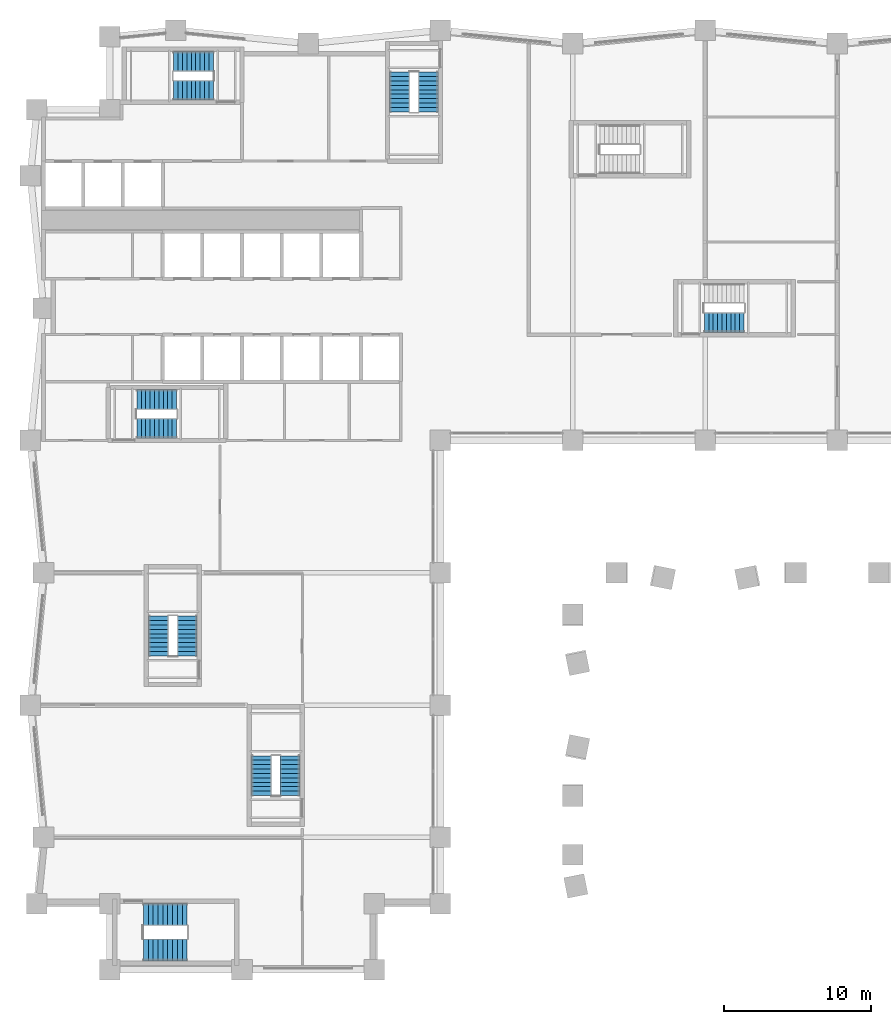
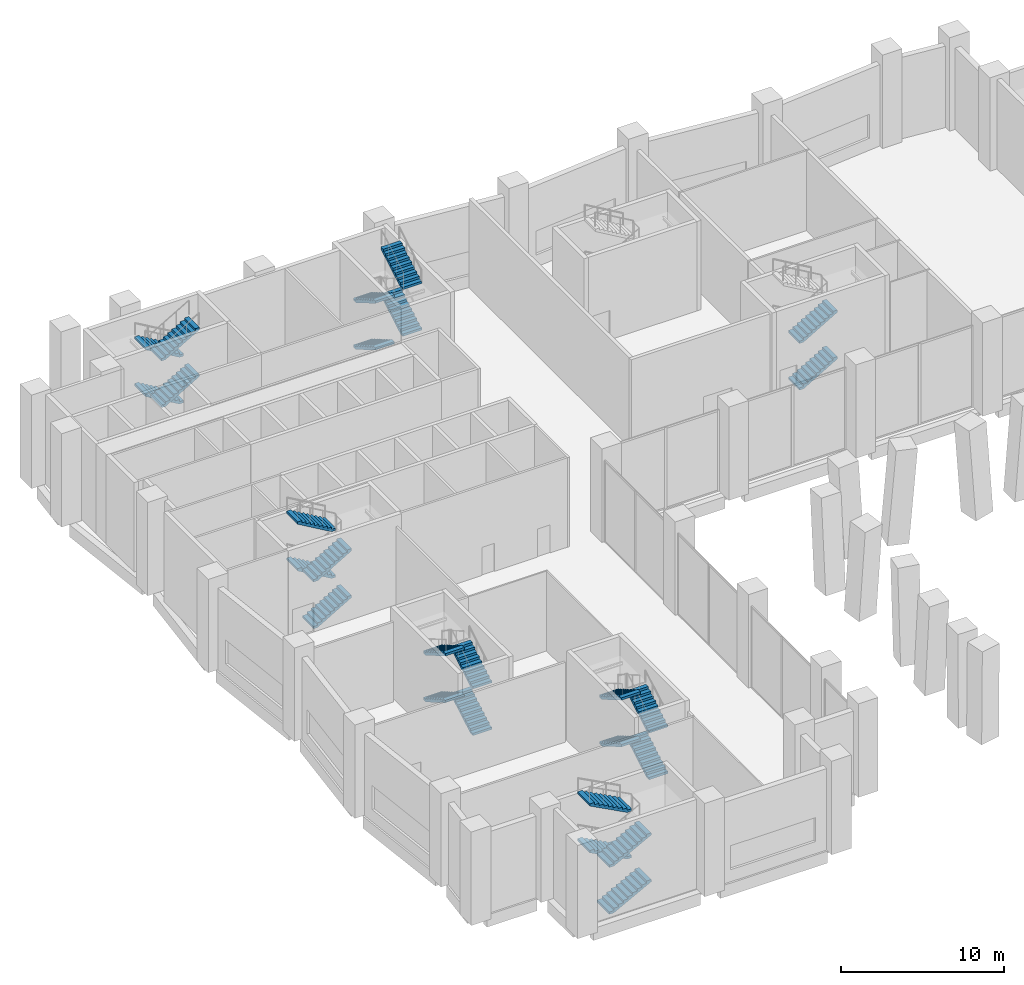
# One storey, part 14 of 18: 26 stair flights, 7 elements without a shape of their own.
"""IFC4 building model written with IfcOpenShell, lengths in metres."""

from ifc_helpers import new_model, si_unit, direction, frame, origin, place, context, subcontext, project, spatial, polyline, outline, extrude, material, type_object, element, aggregate, save


model = new_model("IFC4")

# Units and contexts
model_context = context("Model", 3, precision=1e-05, world=origin(), true_north=direction((0.0, 1.0)))
body_context = subcontext(model_context, "Body", "Model", "MODEL_VIEW")
ifc_project = project(units=[si_unit("LENGTHUNIT", "METRE"), si_unit("AREAUNIT", "SQUARE_METRE"), si_unit("VOLUMEUNIT", "CUBIC_METRE"), si_unit("PLANEANGLEUNIT", "RADIAN"), si_unit("MASSUNIT", "GRAM", prefix="KILO")], contexts=[model_context])

# Site, building, storey
site_placement = place(None, origin())
site = spatial("IfcSite", under=ifc_project, at=site_placement, CompositionType="ELEMENT")
building_placement = place(site_placement, origin())
building = spatial("IfcBuilding", under=site, at=building_placement, Name="Brondeck Convention Tower", CompositionType="ELEMENT")
storey_placement = place(building_placement, frame((0.0, 0.0, 7.5)))
storey = spatial("IfcBuildingStorey", under=building, at=storey_placement, Name="L01", CompositionType="ELEMENT", Elevation=7.5)

# Stair, stair flights
ifc_material = material(Name="Precast concrete C50/60", Category="concrete")
stair_type_1 = type_object("IfcStairType", Name="Core stair 40 risers 175.00 mm riser 300 mm going 1350 wide", PredefinedType="HALF_TURN_STAIR", material=ifc_material)
stair_1_placement = place(storey_placement, origin())
stair_1 = element("IfcStair", 1, at=stair_1_placement, inside=storey, type_object=stair_type_1, Name="ST-1 L01 stair", PredefinedType="HALF_TURN_STAIR")
stair_flight_type_1 = type_object("IfcStairFlightType", Name="Core stair flight 40 risers 175.00 mm riser 300 mm going 1350 wide", PredefinedType="STRAIGHT", material=ifc_material)
stair_flight_1_placement = place(storey_placement, frame((6.35009765625, 36.824951171875, 0.0), z_axis=(0.0, 0.0, 1.0), x_axis=(1.0, 0.0, 0.0)))
stair_flight_1 = element("IfcStairFlight", 2, at=stair_flight_1_placement, type_object=stair_flight_type_1, Name="ST-1 flight 1", NumberOfRisers=10, NumberOfTreads=9, PredefinedType="STRAIGHT", RiserHeight=0.175, TreadLength=0.3, context=body_context, shape_type="SweptSolid", body=[
    extrude(outline(polyline([(0.0, 0.0), (0.0, 0.175048828125), (0.300048828125, 0.175048828125), (0.300048828125, 0.35009765625), (0.60009765625, 0.35009765625), (0.60009765625, 0.52490234375), (0.89990234375, 0.52490234375), (0.89990234375, 0.699951171875), (1.199951171875, 0.699951171875), (1.199951171875, 0.875), (1.5, 0.875), (1.5, 1.050048828125), (1.800048828125, 1.050048828125), (1.800048828125, 1.22509765625), (2.10009765625, 1.22509765625), (2.10009765625, 1.39990234375), (2.39990234375, 1.39990234375), (2.39990234375, 1.574951171875), (2.699951171875, 1.574951171875), (2.699951171875, 1.75), (2.699951171875, 1.4013671875), (0.297607421875, 0.0), (0.0, 0.0)])), frame((0.0, 0.675048828125, 0.0), z_axis=(0.0, -1.0, 0.0), x_axis=(1.0, 0.0, 0.0)), (0.0, 0.0, 1.0), 1.35009765625),
])
stair_flight_2_placement = place(storey_placement, frame((9.050048828125, 38.77490234375, 1.75), z_axis=(0.0, 0.0, 1.0), x_axis=(-1.0, 0.0, 0.0)))
stair_flight_2 = element("IfcStairFlight", 3, at=stair_flight_2_placement, type_object=stair_flight_type_1, Name="ST-1 flight 2", NumberOfRisers=10, NumberOfTreads=9, PredefinedType="STRAIGHT", RiserHeight=0.175, TreadLength=0.3, context=body_context, shape_type="SweptSolid", body=[
    extrude(outline(polyline([(0.0, 0.0), (0.0, 0.175048828125), (0.300048828125, 0.175048828125), (0.300048828125, 0.35009765625), (0.60009765625, 0.35009765625), (0.60009765625, 0.52490234375), (0.89990234375, 0.52490234375), (0.89990234375, 0.699951171875), (1.199951171875, 0.699951171875), (1.199951171875, 0.875), (1.5, 0.875), (1.5, 1.050048828125), (1.800048828125, 1.050048828125), (1.800048828125, 1.22509765625), (2.10009765625, 1.22509765625), (2.10009765625, 1.39990234375), (2.39990234375, 1.39990234375), (2.39990234375, 1.574951171875), (2.699951171875, 1.574951171875), (2.699951171875, 1.75), (2.699951171875, 1.4013671875), (0.297607421875, 0.0), (0.0, 0.0)])), frame((0.0, 0.675048828125, 0.0), z_axis=(0.0, -1.0, 0.0), x_axis=(1.0, 0.0, 0.0)), (0.0, 0.0, 1.0), 1.35009765625),
])
stair_flight_3_placement = place(storey_placement, frame((6.35009765625, 36.824951171875, 3.5), z_axis=(0.0, 0.0, 1.0), x_axis=(1.0, 0.0, 0.0)))
stair_flight_3 = element("IfcStairFlight", 4, at=stair_flight_3_placement, type_object=stair_flight_type_1, Name="ST-1 flight 3", NumberOfRisers=10, NumberOfTreads=9, PredefinedType="STRAIGHT", RiserHeight=0.175, TreadLength=0.3, context=body_context, shape_type="SweptSolid", body=[
    extrude(outline(polyline([(0.0, 0.0), (0.0, 0.175048828125), (0.300048828125, 0.175048828125), (0.300048828125, 0.35009765625), (0.60009765625, 0.35009765625), (0.60009765625, 0.52490234375), (0.89990234375, 0.52490234375), (0.89990234375, 0.699951171875), (1.199951171875, 0.699951171875), (1.199951171875, 0.875), (1.5, 0.875), (1.5, 1.050048828125), (1.800048828125, 1.050048828125), (1.800048828125, 1.22509765625), (2.10009765625, 1.22509765625), (2.10009765625, 1.39990234375), (2.39990234375, 1.39990234375), (2.39990234375, 1.574951171875), (2.699951171875, 1.574951171875), (2.699951171875, 1.75), (2.699951171875, 1.4013671875), (0.297607421875, 0.0), (0.0, 0.0)])), frame((0.0, 0.675048828125, 0.0), z_axis=(0.0, -1.0, 0.0), x_axis=(1.0, 0.0, 0.0)), (0.0, 0.0, 1.0), 1.35009765625),
])
stair_flight_4_placement = place(storey_placement, frame((9.050048828125, 38.77490234375, 5.25), z_axis=(0.0, 0.0, 1.0), x_axis=(-1.0, 0.0, 0.0)))
stair_flight_4 = element("IfcStairFlight", 5, at=stair_flight_4_placement, type_object=stair_flight_type_1, Name="ST-1 flight 4", NumberOfRisers=10, NumberOfTreads=9, PredefinedType="STRAIGHT", RiserHeight=0.175, TreadLength=0.3, context=body_context, shape_type="SweptSolid", body=[
    extrude(outline(polyline([(0.0, 0.0), (0.0, 0.175048828125), (0.300048828125, 0.175048828125), (0.300048828125, 0.35009765625), (0.60009765625, 0.35009765625), (0.60009765625, 0.52490234375), (0.89990234375, 0.52490234375), (0.89990234375, 0.699951171875), (1.199951171875, 0.699951171875), (1.199951171875, 0.875), (1.5, 0.875), (1.5, 1.050048828125), (1.800048828125, 1.050048828125), (1.800048828125, 1.22509765625), (2.10009765625, 1.22509765625), (2.10009765625, 1.39990234375), (2.39990234375, 1.39990234375), (2.39990234375, 1.574951171875), (2.699951171875, 1.574951171875), (2.699951171875, 1.75), (2.699951171875, 1.4013671875), (0.297607421875, 0.0), (0.0, 0.0)])), frame((0.0, 0.675048828125, 0.0), z_axis=(0.0, -1.0, 0.0), x_axis=(1.0, 0.0, 0.0)), (0.0, 0.0, 1.0), 1.35009765625),
])
aggregate(stair_1, [stair_flight_1, stair_flight_2, stair_flight_3, stair_flight_4])

stair_2_placement = place(storey_placement, origin())
stair_2 = element("IfcStair", 6, at=stair_2_placement, inside=storey, type_object=stair_type_1, Name="ST-2 L01 stair", PredefinedType="HALF_TURN_STAIR")
stair_flight_5_placement = place(storey_placement, frame((24.22509765625, 61.050048828125, 0.0), z_axis=(0.0, 0.0, 1.0), x_axis=(0.0, -1.0, 0.0)))
stair_flight_5 = element("IfcStairFlight", 7, at=stair_flight_5_placement, type_object=stair_flight_type_1, Name="ST-2 flight 1", NumberOfRisers=10, NumberOfTreads=9, PredefinedType="STRAIGHT", RiserHeight=0.175, TreadLength=0.3, context=body_context, shape_type="SweptSolid", body=[
    extrude(outline(polyline([(0.0, 0.0), (0.0, 0.175048828125), (0.300048828125, 0.175048828125), (0.300048828125, 0.35009765625), (0.60009765625, 0.35009765625), (0.60009765625, 0.52490234375), (0.89990234375, 0.52490234375), (0.89990234375, 0.699951171875), (1.199951171875, 0.699951171875), (1.199951171875, 0.875), (1.5, 0.875), (1.5, 1.050048828125), (1.800048828125, 1.050048828125), (1.800048828125, 1.22509765625), (2.10009765625, 1.22509765625), (2.10009765625, 1.39990234375), (2.39990234375, 1.39990234375), (2.39990234375, 1.574951171875), (2.699951171875, 1.574951171875), (2.699951171875, 1.75), (2.699951171875, 1.4013671875), (0.297607421875, 0.0), (0.0, 0.0)])), frame((0.0, 0.675048828125, 0.0), z_axis=(0.0, -1.0, 0.0), x_axis=(1.0, 0.0, 0.0)), (0.0, 0.0, 1.0), 1.35009765625),
])
stair_flight_6_placement = place(storey_placement, frame((26.175048828125, 58.35009765625, 1.75), z_axis=(0.0, 0.0, 1.0), x_axis=(0.0, 1.0, 0.0)))
stair_flight_6 = element("IfcStairFlight", 8, at=stair_flight_6_placement, type_object=stair_flight_type_1, Name="ST-2 flight 2", NumberOfRisers=10, NumberOfTreads=9, PredefinedType="STRAIGHT", RiserHeight=0.175, TreadLength=0.3, context=body_context, shape_type="SweptSolid", body=[
    extrude(outline(polyline([(0.0, 0.0), (0.0, 0.175048828125), (0.300048828125, 0.175048828125), (0.300048828125, 0.35009765625), (0.60009765625, 0.35009765625), (0.60009765625, 0.52490234375), (0.89990234375, 0.52490234375), (0.89990234375, 0.699951171875), (1.199951171875, 0.699951171875), (1.199951171875, 0.875), (1.5, 0.875), (1.5, 1.050048828125), (1.800048828125, 1.050048828125), (1.800048828125, 1.22509765625), (2.10009765625, 1.22509765625), (2.10009765625, 1.39990234375), (2.39990234375, 1.39990234375), (2.39990234375, 1.574951171875), (2.699951171875, 1.574951171875), (2.699951171875, 1.75), (2.699951171875, 1.4013671875), (0.297607421875, 0.0), (0.0, 0.0)])), frame((0.0, 0.675048828125, 0.0), z_axis=(0.0, -1.0, 0.0), x_axis=(1.0, 0.0, 0.0)), (0.0, 0.0, 1.0), 1.35009765625),
])
stair_flight_7_placement = place(storey_placement, frame((24.22509765625, 61.050048828125, 3.5), z_axis=(0.0, 0.0, 1.0), x_axis=(0.0, -1.0, 0.0)))
stair_flight_7 = element("IfcStairFlight", 9, at=stair_flight_7_placement, type_object=stair_flight_type_1, Name="ST-2 flight 3", NumberOfRisers=10, NumberOfTreads=9, PredefinedType="STRAIGHT", RiserHeight=0.175, TreadLength=0.3, context=body_context, shape_type="SweptSolid", body=[
    extrude(outline(polyline([(0.0, 0.0), (0.0, 0.175048828125), (0.300048828125, 0.175048828125), (0.300048828125, 0.35009765625), (0.60009765625, 0.35009765625), (0.60009765625, 0.52490234375), (0.89990234375, 0.52490234375), (0.89990234375, 0.699951171875), (1.199951171875, 0.699951171875), (1.199951171875, 0.875), (1.5, 0.875), (1.5, 1.050048828125), (1.800048828125, 1.050048828125), (1.800048828125, 1.22509765625), (2.10009765625, 1.22509765625), (2.10009765625, 1.39990234375), (2.39990234375, 1.39990234375), (2.39990234375, 1.574951171875), (2.699951171875, 1.574951171875), (2.699951171875, 1.75), (2.699951171875, 1.4013671875), (0.297607421875, 0.0), (0.0, 0.0)])), frame((0.0, 0.675048828125, 0.0), z_axis=(0.0, -1.0, 0.0), x_axis=(1.0, 0.0, 0.0)), (0.0, 0.0, 1.0), 1.35009765625),
])
stair_flight_8_placement = place(storey_placement, frame((26.175048828125, 58.35009765625, 5.25), z_axis=(0.0, 0.0, 1.0), x_axis=(0.0, 1.0, 0.0)))
stair_flight_8 = element("IfcStairFlight", 10, at=stair_flight_8_placement, type_object=stair_flight_type_1, Name="ST-2 flight 4", NumberOfRisers=10, NumberOfTreads=9, PredefinedType="STRAIGHT", RiserHeight=0.175, TreadLength=0.3, context=body_context, shape_type="SweptSolid", body=[
    extrude(outline(polyline([(0.0, 0.0), (0.0, 0.175048828125), (0.300048828125, 0.175048828125), (0.300048828125, 0.35009765625), (0.60009765625, 0.35009765625), (0.60009765625, 0.52490234375), (0.89990234375, 0.52490234375), (0.89990234375, 0.699951171875), (1.199951171875, 0.699951171875), (1.199951171875, 0.875), (1.5, 0.875), (1.5, 1.050048828125), (1.800048828125, 1.050048828125), (1.800048828125, 1.22509765625), (2.10009765625, 1.22509765625), (2.10009765625, 1.39990234375), (2.39990234375, 1.39990234375), (2.39990234375, 1.574951171875), (2.699951171875, 1.574951171875), (2.699951171875, 1.75), (2.699951171875, 1.4013671875), (0.297607421875, 0.0), (0.0, 0.0)])), frame((0.0, 0.675048828125, 0.0), z_axis=(0.0, -1.0, 0.0), x_axis=(1.0, 0.0, 0.0)), (0.0, 0.0, 1.0), 1.35009765625),
])
aggregate(stair_2, [stair_flight_5, stair_flight_6, stair_flight_7, stair_flight_8])

stair_3_placement = place(storey_placement, origin())
stair_3 = element("IfcStair", 11, at=stair_3_placement, inside=storey, type_object=stair_type_1, Name="ST-3 L01 stair", PredefinedType="HALF_TURN_STAIR")
stair_flight_9_placement = place(storey_placement, frame((11.550048828125, 61.77490234375, 0.0), z_axis=(0.0, 0.0, 1.0), x_axis=(-1.0, 0.0, 0.0)))
stair_flight_9 = element("IfcStairFlight", 12, at=stair_flight_9_placement, type_object=stair_flight_type_1, Name="ST-3 flight 1", NumberOfRisers=10, NumberOfTreads=9, PredefinedType="STRAIGHT", RiserHeight=0.175, TreadLength=0.3, context=body_context, shape_type="SweptSolid", body=[
    extrude(outline(polyline([(0.0, 0.0), (0.0, 0.175048828125), (0.300048828125, 0.175048828125), (0.300048828125, 0.35009765625), (0.60009765625, 0.35009765625), (0.60009765625, 0.52490234375), (0.89990234375, 0.52490234375), (0.89990234375, 0.699951171875), (1.199951171875, 0.699951171875), (1.199951171875, 0.875), (1.5, 0.875), (1.5, 1.050048828125), (1.800048828125, 1.050048828125), (1.800048828125, 1.22509765625), (2.10009765625, 1.22509765625), (2.10009765625, 1.39990234375), (2.39990234375, 1.39990234375), (2.39990234375, 1.574951171875), (2.699951171875, 1.574951171875), (2.699951171875, 1.75), (2.699951171875, 1.4013671875), (0.297607421875, 0.0), (0.0, 0.0)])), frame((0.0, 0.675048828125, 0.0), z_axis=(0.0, -1.0, 0.0), x_axis=(1.0, 0.0, 0.0)), (0.0, 0.0, 1.0), 1.35009765625),
])
stair_flight_10_placement = place(storey_placement, frame((8.85009765625, 59.824951171875, 1.75), z_axis=(0.0, 0.0, 1.0), x_axis=(1.0, 0.0, 0.0)))
stair_flight_10 = element("IfcStairFlight", 13, at=stair_flight_10_placement, type_object=stair_flight_type_1, Name="ST-3 flight 2", NumberOfRisers=10, NumberOfTreads=9, PredefinedType="STRAIGHT", RiserHeight=0.175, TreadLength=0.3, context=body_context, shape_type="SweptSolid", body=[
    extrude(outline(polyline([(0.0, 0.0), (0.0, 0.175048828125), (0.300048828125, 0.175048828125), (0.300048828125, 0.35009765625), (0.60009765625, 0.35009765625), (0.60009765625, 0.52490234375), (0.89990234375, 0.52490234375), (0.89990234375, 0.699951171875), (1.199951171875, 0.699951171875), (1.199951171875, 0.875), (1.5, 0.875), (1.5, 1.050048828125), (1.800048828125, 1.050048828125), (1.800048828125, 1.22509765625), (2.10009765625, 1.22509765625), (2.10009765625, 1.39990234375), (2.39990234375, 1.39990234375), (2.39990234375, 1.574951171875), (2.699951171875, 1.574951171875), (2.699951171875, 1.75), (2.699951171875, 1.4013671875), (0.297607421875, 0.0), (0.0, 0.0)])), frame((0.0, 0.675048828125, 0.0), z_axis=(0.0, -1.0, 0.0), x_axis=(1.0, 0.0, 0.0)), (0.0, 0.0, 1.0), 1.35009765625),
])
stair_flight_11_placement = place(storey_placement, frame((11.550048828125, 61.77490234375, 3.5), z_axis=(0.0, 0.0, 1.0), x_axis=(-1.0, 0.0, 0.0)))
stair_flight_11 = element("IfcStairFlight", 14, at=stair_flight_11_placement, type_object=stair_flight_type_1, Name="ST-3 flight 3", NumberOfRisers=10, NumberOfTreads=9, PredefinedType="STRAIGHT", RiserHeight=0.175, TreadLength=0.3, context=body_context, shape_type="SweptSolid", body=[
    extrude(outline(polyline([(0.0, 0.0), (0.0, 0.175048828125), (0.300048828125, 0.175048828125), (0.300048828125, 0.35009765625), (0.60009765625, 0.35009765625), (0.60009765625, 0.52490234375), (0.89990234375, 0.52490234375), (0.89990234375, 0.699951171875), (1.199951171875, 0.699951171875), (1.199951171875, 0.875), (1.5, 0.875), (1.5, 1.050048828125), (1.800048828125, 1.050048828125), (1.800048828125, 1.22509765625), (2.10009765625, 1.22509765625), (2.10009765625, 1.39990234375), (2.39990234375, 1.39990234375), (2.39990234375, 1.574951171875), (2.699951171875, 1.574951171875), (2.699951171875, 1.75), (2.699951171875, 1.4013671875), (0.297607421875, 0.0), (0.0, 0.0)])), frame((0.0, 0.675048828125, 0.0), z_axis=(0.0, -1.0, 0.0), x_axis=(1.0, 0.0, 0.0)), (0.0, 0.0, 1.0), 1.35009765625),
])
stair_flight_12_placement = place(storey_placement, frame((8.85009765625, 59.824951171875, 5.25), z_axis=(0.0, 0.0, 1.0), x_axis=(1.0, 0.0, 0.0)))
stair_flight_12 = element("IfcStairFlight", 15, at=stair_flight_12_placement, type_object=stair_flight_type_1, Name="ST-3 flight 4", NumberOfRisers=10, NumberOfTreads=9, PredefinedType="STRAIGHT", RiserHeight=0.175, TreadLength=0.3, context=body_context, shape_type="SweptSolid", body=[
    extrude(outline(polyline([(0.0, 0.0), (0.0, 0.175048828125), (0.300048828125, 0.175048828125), (0.300048828125, 0.35009765625), (0.60009765625, 0.35009765625), (0.60009765625, 0.52490234375), (0.89990234375, 0.52490234375), (0.89990234375, 0.699951171875), (1.199951171875, 0.699951171875), (1.199951171875, 0.875), (1.5, 0.875), (1.5, 1.050048828125), (1.800048828125, 1.050048828125), (1.800048828125, 1.22509765625), (2.10009765625, 1.22509765625), (2.10009765625, 1.39990234375), (2.39990234375, 1.39990234375), (2.39990234375, 1.574951171875), (2.699951171875, 1.574951171875), (2.699951171875, 1.75), (2.699951171875, 1.4013671875), (0.297607421875, 0.0), (0.0, 0.0)])), frame((0.0, 0.675048828125, 0.0), z_axis=(0.0, -1.0, 0.0), x_axis=(1.0, 0.0, 0.0)), (0.0, 0.0, 1.0), 1.35009765625),
])
aggregate(stair_3, [stair_flight_9, stair_flight_10, stair_flight_11, stair_flight_12])

stair_4_placement = place(storey_placement, origin())
stair_4 = element("IfcStair", 16, at=stair_4_placement, inside=storey, type_object=stair_type_1, Name="ST-BE L01 stair", PredefinedType="HALF_TURN_STAIR")
stair_flight_13_placement = place(storey_placement, frame((9.77490234375, 21.35009765625, 0.0), z_axis=(0.0, 0.0, 1.0), x_axis=(0.0, 1.0, 0.0)))
stair_flight_13 = element("IfcStairFlight", 17, at=stair_flight_13_placement, type_object=stair_flight_type_1, Name="ST-BE flight 1", NumberOfRisers=10, NumberOfTreads=9, PredefinedType="STRAIGHT", RiserHeight=0.175, TreadLength=0.3, context=body_context, shape_type="SweptSolid", body=[
    extrude(outline(polyline([(0.0, 0.0), (0.0, 0.175048828125), (0.300048828125, 0.175048828125), (0.300048828125, 0.35009765625), (0.60009765625, 0.35009765625), (0.60009765625, 0.52490234375), (0.89990234375, 0.52490234375), (0.89990234375, 0.699951171875), (1.199951171875, 0.699951171875), (1.199951171875, 0.875), (1.5, 0.875), (1.5, 1.050048828125), (1.800048828125, 1.050048828125), (1.800048828125, 1.22509765625), (2.10009765625, 1.22509765625), (2.10009765625, 1.39990234375), (2.39990234375, 1.39990234375), (2.39990234375, 1.574951171875), (2.699951171875, 1.574951171875), (2.699951171875, 1.75), (2.699951171875, 1.4013671875), (0.297607421875, 0.0), (0.0, 0.0)])), frame((0.0, 0.675048828125, 0.0), z_axis=(0.0, -1.0, 0.0), x_axis=(1.0, 0.0, 0.0)), (0.0, 0.0, 1.0), 1.35009765625),
])
stair_flight_14_placement = place(storey_placement, frame((7.824951171875, 24.050048828125, 1.75), z_axis=(0.0, 0.0, 1.0), x_axis=(0.0, -1.0, 0.0)))
stair_flight_14 = element("IfcStairFlight", 18, at=stair_flight_14_placement, type_object=stair_flight_type_1, Name="ST-BE flight 2", NumberOfRisers=10, NumberOfTreads=9, PredefinedType="STRAIGHT", RiserHeight=0.175, TreadLength=0.3, context=body_context, shape_type="SweptSolid", body=[
    extrude(outline(polyline([(0.0, 0.0), (0.0, 0.175048828125), (0.300048828125, 0.175048828125), (0.300048828125, 0.35009765625), (0.60009765625, 0.35009765625), (0.60009765625, 0.52490234375), (0.89990234375, 0.52490234375), (0.89990234375, 0.699951171875), (1.199951171875, 0.699951171875), (1.199951171875, 0.875), (1.5, 0.875), (1.5, 1.050048828125), (1.800048828125, 1.050048828125), (1.800048828125, 1.22509765625), (2.10009765625, 1.22509765625), (2.10009765625, 1.39990234375), (2.39990234375, 1.39990234375), (2.39990234375, 1.574951171875), (2.699951171875, 1.574951171875), (2.699951171875, 1.75), (2.699951171875, 1.4013671875), (0.297607421875, 0.0), (0.0, 0.0)])), frame((0.0, 0.675048828125, 0.0), z_axis=(0.0, -1.0, 0.0), x_axis=(1.0, 0.0, 0.0)), (0.0, 0.0, 1.0), 1.35009765625),
])
stair_flight_15_placement = place(storey_placement, frame((9.77490234375, 21.35009765625, 3.5), z_axis=(0.0, 0.0, 1.0), x_axis=(0.0, 1.0, 0.0)))
stair_flight_15 = element("IfcStairFlight", 19, at=stair_flight_15_placement, type_object=stair_flight_type_1, Name="ST-BE flight 3", NumberOfRisers=10, NumberOfTreads=9, PredefinedType="STRAIGHT", RiserHeight=0.175, TreadLength=0.3, context=body_context, shape_type="SweptSolid", body=[
    extrude(outline(polyline([(0.0, 0.0), (0.0, 0.175048828125), (0.300048828125, 0.175048828125), (0.300048828125, 0.35009765625), (0.60009765625, 0.35009765625), (0.60009765625, 0.52490234375), (0.89990234375, 0.52490234375), (0.89990234375, 0.699951171875), (1.199951171875, 0.699951171875), (1.199951171875, 0.875), (1.5, 0.875), (1.5, 1.050048828125), (1.800048828125, 1.050048828125), (1.800048828125, 1.22509765625), (2.10009765625, 1.22509765625), (2.10009765625, 1.39990234375), (2.39990234375, 1.39990234375), (2.39990234375, 1.574951171875), (2.699951171875, 1.574951171875), (2.699951171875, 1.75), (2.699951171875, 1.4013671875), (0.297607421875, 0.0), (0.0, 0.0)])), frame((0.0, 0.675048828125, 0.0), z_axis=(0.0, -1.0, 0.0), x_axis=(1.0, 0.0, 0.0)), (0.0, 0.0, 1.0), 1.35009765625),
])
stair_flight_16_placement = place(storey_placement, frame((7.824951171875, 24.050048828125, 5.25), z_axis=(0.0, 0.0, 1.0), x_axis=(0.0, -1.0, 0.0)))
stair_flight_16 = element("IfcStairFlight", 20, at=stair_flight_16_placement, type_object=stair_flight_type_1, Name="ST-BE flight 4", NumberOfRisers=10, NumberOfTreads=9, PredefinedType="STRAIGHT", RiserHeight=0.175, TreadLength=0.3, context=body_context, shape_type="SweptSolid", body=[
    extrude(outline(polyline([(0.0, 0.0), (0.0, 0.175048828125), (0.300048828125, 0.175048828125), (0.300048828125, 0.35009765625), (0.60009765625, 0.35009765625), (0.60009765625, 0.52490234375), (0.89990234375, 0.52490234375), (0.89990234375, 0.699951171875), (1.199951171875, 0.699951171875), (1.199951171875, 0.875), (1.5, 0.875), (1.5, 1.050048828125), (1.800048828125, 1.050048828125), (1.800048828125, 1.22509765625), (2.10009765625, 1.22509765625), (2.10009765625, 1.39990234375), (2.39990234375, 1.39990234375), (2.39990234375, 1.574951171875), (2.699951171875, 1.574951171875), (2.699951171875, 1.75), (2.699951171875, 1.4013671875), (0.297607421875, 0.0), (0.0, 0.0)])), frame((0.0, 0.675048828125, 0.0), z_axis=(0.0, -1.0, 0.0), x_axis=(1.0, 0.0, 0.0)), (0.0, 0.0, 1.0), 1.35009765625),
])
aggregate(stair_4, [stair_flight_13, stair_flight_14, stair_flight_15, stair_flight_16])

stair_5_placement = place(storey_placement, origin())
stair_5 = element("IfcStair", 21, at=stair_5_placement, inside=storey, type_object=stair_type_1, Name="ST-AF L01 stair", PredefinedType="HALF_TURN_STAIR")
stair_flight_17_placement = place(storey_placement, frame((44.949951171875, 44.02490234375, 0.0), z_axis=(0.0, 0.0, 1.0), x_axis=(1.0, 0.0, 0.0)))
stair_flight_17 = element("IfcStairFlight", 22, at=stair_flight_17_placement, type_object=stair_flight_type_1, Name="ST-AF flight 1", NumberOfRisers=10, NumberOfTreads=9, PredefinedType="STRAIGHT", RiserHeight=0.175, TreadLength=0.3, context=body_context, shape_type="SweptSolid", body=[
    extrude(outline(polyline([(0.0, 0.0), (0.0, 0.175048828125), (0.300048828125, 0.175048828125), (0.300048828125, 0.35009765625), (0.60009765625, 0.35009765625), (0.60009765625, 0.52490234375), (0.89990234375, 0.52490234375), (0.89990234375, 0.699951171875), (1.199951171875, 0.699951171875), (1.199951171875, 0.875), (1.5, 0.875), (1.5, 1.050048828125), (1.800048828125, 1.050048828125), (1.800048828125, 1.22509765625), (2.10009765625, 1.22509765625), (2.10009765625, 1.39990234375), (2.39990234375, 1.39990234375), (2.39990234375, 1.574951171875), (2.699951171875, 1.574951171875), (2.699951171875, 1.75), (2.699951171875, 1.4013671875), (0.297607421875, 0.0), (0.0, 0.0)])), frame((0.0, 0.675048828125, 0.0), z_axis=(0.0, -1.0, 0.0), x_axis=(1.0, 0.0, 0.0)), (0.0, 0.0, 1.0), 1.35009765625),
])
stair_flight_18_placement = place(storey_placement, frame((44.949951171875, 44.02490234375, 3.5), z_axis=(0.0, 0.0, 1.0), x_axis=(1.0, 0.0, 0.0)))
stair_flight_18 = element("IfcStairFlight", 23, at=stair_flight_18_placement, type_object=stair_flight_type_1, Name="ST-AF flight 3", NumberOfRisers=10, NumberOfTreads=9, PredefinedType="STRAIGHT", RiserHeight=0.175, TreadLength=0.3, context=body_context, shape_type="SweptSolid", body=[
    extrude(outline(polyline([(0.0, 0.0), (0.0, 0.175048828125), (0.300048828125, 0.175048828125), (0.300048828125, 0.35009765625), (0.60009765625, 0.35009765625), (0.60009765625, 0.52490234375), (0.89990234375, 0.52490234375), (0.89990234375, 0.699951171875), (1.199951171875, 0.699951171875), (1.199951171875, 0.875), (1.5, 0.875), (1.5, 1.050048828125), (1.800048828125, 1.050048828125), (1.800048828125, 1.22509765625), (2.10009765625, 1.22509765625), (2.10009765625, 1.39990234375), (2.39990234375, 1.39990234375), (2.39990234375, 1.574951171875), (2.699951171875, 1.574951171875), (2.699951171875, 1.75), (2.699951171875, 1.4013671875), (0.297607421875, 0.0), (0.0, 0.0)])), frame((0.0, 0.675048828125, 0.0), z_axis=(0.0, -1.0, 0.0), x_axis=(1.0, 0.0, 0.0)), (0.0, 0.0, 1.0), 1.35009765625),
])
aggregate(stair_5, [stair_flight_17, stair_flight_18])

stair_6_placement = place(storey_placement, origin())
stair_6 = element("IfcStair", 24, at=stair_6_placement, inside=storey, type_object=stair_type_1, Name="ST-BF L01 stair", PredefinedType="HALF_TURN_STAIR")
stair_flight_19_placement = place(storey_placement, frame((16.77490234375, 11.85009765625, 0.0), z_axis=(0.0, 0.0, 1.0), x_axis=(0.0, 1.0, 0.0)))
stair_flight_19 = element("IfcStairFlight", 25, at=stair_flight_19_placement, type_object=stair_flight_type_1, Name="ST-BF flight 1", NumberOfRisers=10, NumberOfTreads=9, PredefinedType="STRAIGHT", RiserHeight=0.175, TreadLength=0.3, context=body_context, shape_type="SweptSolid", body=[
    extrude(outline(polyline([(0.0, 0.0), (0.0, 0.175048828125), (0.300048828125, 0.175048828125), (0.300048828125, 0.35009765625), (0.60009765625, 0.35009765625), (0.60009765625, 0.52490234375), (0.89990234375, 0.52490234375), (0.89990234375, 0.699951171875), (1.199951171875, 0.699951171875), (1.199951171875, 0.875), (1.5, 0.875), (1.5, 1.050048828125), (1.800048828125, 1.050048828125), (1.800048828125, 1.22509765625), (2.10009765625, 1.22509765625), (2.10009765625, 1.39990234375), (2.39990234375, 1.39990234375), (2.39990234375, 1.574951171875), (2.699951171875, 1.574951171875), (2.699951171875, 1.75), (2.699951171875, 1.4013671875), (0.297607421875, 0.0), (0.0, 0.0)])), frame((0.0, 0.675048828125, 0.0), z_axis=(0.0, -1.0, 0.0), x_axis=(1.0, 0.0, 0.0)), (0.0, 0.0, 1.0), 1.35009765625),
])
stair_flight_20_placement = place(storey_placement, frame((14.824951171875, 14.550048828125, 1.75), z_axis=(0.0, 0.0, 1.0), x_axis=(0.0, -1.0, 0.0)))
stair_flight_20 = element("IfcStairFlight", 26, at=stair_flight_20_placement, type_object=stair_flight_type_1, Name="ST-BF flight 2", NumberOfRisers=10, NumberOfTreads=9, PredefinedType="STRAIGHT", RiserHeight=0.175, TreadLength=0.3, context=body_context, shape_type="SweptSolid", body=[
    extrude(outline(polyline([(0.0, 0.0), (0.0, 0.175048828125), (0.300048828125, 0.175048828125), (0.300048828125, 0.35009765625), (0.60009765625, 0.35009765625), (0.60009765625, 0.52490234375), (0.89990234375, 0.52490234375), (0.89990234375, 0.699951171875), (1.199951171875, 0.699951171875), (1.199951171875, 0.875), (1.5, 0.875), (1.5, 1.050048828125), (1.800048828125, 1.050048828125), (1.800048828125, 1.22509765625), (2.10009765625, 1.22509765625), (2.10009765625, 1.39990234375), (2.39990234375, 1.39990234375), (2.39990234375, 1.574951171875), (2.699951171875, 1.574951171875), (2.699951171875, 1.75), (2.699951171875, 1.4013671875), (0.297607421875, 0.0), (0.0, 0.0)])), frame((0.0, 0.675048828125, 0.0), z_axis=(0.0, -1.0, 0.0), x_axis=(1.0, 0.0, 0.0)), (0.0, 0.0, 1.0), 1.35009765625),
])
stair_flight_21_placement = place(storey_placement, frame((16.77490234375, 11.85009765625, 3.5), z_axis=(0.0, 0.0, 1.0), x_axis=(0.0, 1.0, 0.0)))
stair_flight_21 = element("IfcStairFlight", 27, at=stair_flight_21_placement, type_object=stair_flight_type_1, Name="ST-BF flight 3", NumberOfRisers=10, NumberOfTreads=9, PredefinedType="STRAIGHT", RiserHeight=0.175, TreadLength=0.3, context=body_context, shape_type="SweptSolid", body=[
    extrude(outline(polyline([(0.0, 0.0), (0.0, 0.175048828125), (0.300048828125, 0.175048828125), (0.300048828125, 0.35009765625), (0.60009765625, 0.35009765625), (0.60009765625, 0.52490234375), (0.89990234375, 0.52490234375), (0.89990234375, 0.699951171875), (1.199951171875, 0.699951171875), (1.199951171875, 0.875), (1.5, 0.875), (1.5, 1.050048828125), (1.800048828125, 1.050048828125), (1.800048828125, 1.22509765625), (2.10009765625, 1.22509765625), (2.10009765625, 1.39990234375), (2.39990234375, 1.39990234375), (2.39990234375, 1.574951171875), (2.699951171875, 1.574951171875), (2.699951171875, 1.75), (2.699951171875, 1.4013671875), (0.297607421875, 0.0), (0.0, 0.0)])), frame((0.0, 0.675048828125, 0.0), z_axis=(0.0, -1.0, 0.0), x_axis=(1.0, 0.0, 0.0)), (0.0, 0.0, 1.0), 1.35009765625),
])
stair_flight_22_placement = place(storey_placement, frame((14.824951171875, 14.550048828125, 5.25), z_axis=(0.0, 0.0, 1.0), x_axis=(0.0, -1.0, 0.0)))
stair_flight_22 = element("IfcStairFlight", 28, at=stair_flight_22_placement, type_object=stair_flight_type_1, Name="ST-BF flight 4", NumberOfRisers=10, NumberOfTreads=9, PredefinedType="STRAIGHT", RiserHeight=0.175, TreadLength=0.3, context=body_context, shape_type="SweptSolid", body=[
    extrude(outline(polyline([(0.0, 0.0), (0.0, 0.175048828125), (0.300048828125, 0.175048828125), (0.300048828125, 0.35009765625), (0.60009765625, 0.35009765625), (0.60009765625, 0.52490234375), (0.89990234375, 0.52490234375), (0.89990234375, 0.699951171875), (1.199951171875, 0.699951171875), (1.199951171875, 0.875), (1.5, 0.875), (1.5, 1.050048828125), (1.800048828125, 1.050048828125), (1.800048828125, 1.22509765625), (2.10009765625, 1.22509765625), (2.10009765625, 1.39990234375), (2.39990234375, 1.39990234375), (2.39990234375, 1.574951171875), (2.699951171875, 1.574951171875), (2.699951171875, 1.75), (2.699951171875, 1.4013671875), (0.297607421875, 0.0), (0.0, 0.0)])), frame((0.0, 0.675048828125, 0.0), z_axis=(0.0, -1.0, 0.0), x_axis=(1.0, 0.0, 0.0)), (0.0, 0.0, 1.0), 1.35009765625),
])
aggregate(stair_6, [stair_flight_19, stair_flight_20, stair_flight_21, stair_flight_22])

stair_type_2 = type_object("IfcStairType", Name="Core stair 40 risers 175.00 mm riser 330 mm going 1500 wide", PredefinedType="HALF_TURN_STAIR", material=ifc_material)
stair_7_placement = place(storey_placement, origin())
stair_7 = element("IfcStair", 29, at=stair_7_placement, inside=storey, type_object=stair_type_2, Name="PS-2 L01 stair", PredefinedType="HALF_TURN_STAIR")
stair_flight_type_2 = type_object("IfcStairFlightType", Name="Core stair flight 40 risers 175.00 mm riser 330 mm going 1500 wide", PredefinedType="STRAIGHT", material=ifc_material)
stair_flight_23_placement = place(storey_placement, frame((6.800048828125, 1.35009765625, 0.0), z_axis=(0.0, 0.0, 1.0), x_axis=(1.0, 0.0, 0.0)))
stair_flight_23 = element("IfcStairFlight", 30, at=stair_flight_23_placement, type_object=stair_flight_type_2, Name="PS-2 flight 1", NumberOfRisers=10, NumberOfTreads=9, PredefinedType="STRAIGHT", RiserHeight=0.175, TreadLength=0.33, context=body_context, shape_type="SweptSolid", body=[
    extrude(outline(polyline([(0.0, 0.0), (0.0, 0.175048828125), (0.330078125, 0.175048828125), (0.330078125, 0.35009765625), (0.659912109375, 0.35009765625), (0.659912109375, 0.52490234375), (0.989990234375, 0.52490234375), (0.989990234375, 0.699951171875), (1.320068359375, 0.699951171875), (1.320068359375, 0.875), (1.64990234375, 0.875), (1.64990234375, 1.050048828125), (1.97998046875, 1.050048828125), (1.97998046875, 1.22509765625), (2.31005859375, 1.22509765625), (2.31005859375, 1.39990234375), (2.639892578125, 1.39990234375), (2.639892578125, 1.574951171875), (2.969970703125, 1.574951171875), (2.969970703125, 1.75), (2.969970703125, 1.4052734375), (0.320068359375, 0.0), (0.0, 0.0)])), frame((0.0, 0.75, 0.0), z_axis=(0.0, -1.0, 0.0), x_axis=(1.0, 0.0, 0.0)), (0.0, 0.0, 1.0), 1.5),
])
stair_flight_24_placement = place(storey_placement, frame((9.77001953125, 3.75, 1.75), z_axis=(0.0, 0.0, 1.0), x_axis=(-1.0, 0.0, 0.0)))
stair_flight_24 = element("IfcStairFlight", 31, at=stair_flight_24_placement, type_object=stair_flight_type_2, Name="PS-2 flight 2", NumberOfRisers=10, NumberOfTreads=9, PredefinedType="STRAIGHT", RiserHeight=0.175, TreadLength=0.33, context=body_context, shape_type="SweptSolid", body=[
    extrude(outline(polyline([(0.0, 0.0), (0.0, 0.175048828125), (0.330078125, 0.175048828125), (0.330078125, 0.35009765625), (0.659912109375, 0.35009765625), (0.659912109375, 0.52490234375), (0.989990234375, 0.52490234375), (0.989990234375, 0.699951171875), (1.320068359375, 0.699951171875), (1.320068359375, 0.875), (1.64990234375, 0.875), (1.64990234375, 1.050048828125), (1.97998046875, 1.050048828125), (1.97998046875, 1.22509765625), (2.31005859375, 1.22509765625), (2.31005859375, 1.39990234375), (2.639892578125, 1.39990234375), (2.639892578125, 1.574951171875), (2.969970703125, 1.574951171875), (2.969970703125, 1.75), (2.969970703125, 1.4052734375), (0.320068359375, 0.0), (0.0, 0.0)])), frame((0.0, 0.75, 0.0), z_axis=(0.0, -1.0, 0.0), x_axis=(1.0, 0.0, 0.0)), (0.0, 0.0, 1.0), 1.5),
])
stair_flight_25_placement = place(storey_placement, frame((6.800048828125, 1.35009765625, 3.5), z_axis=(0.0, 0.0, 1.0), x_axis=(1.0, 0.0, 0.0)))
stair_flight_25 = element("IfcStairFlight", 32, at=stair_flight_25_placement, type_object=stair_flight_type_2, Name="PS-2 flight 3", NumberOfRisers=10, NumberOfTreads=9, PredefinedType="STRAIGHT", RiserHeight=0.175, TreadLength=0.33, context=body_context, shape_type="SweptSolid", body=[
    extrude(outline(polyline([(0.0, 0.0), (0.0, 0.175048828125), (0.330078125, 0.175048828125), (0.330078125, 0.35009765625), (0.659912109375, 0.35009765625), (0.659912109375, 0.52490234375), (0.989990234375, 0.52490234375), (0.989990234375, 0.699951171875), (1.320068359375, 0.699951171875), (1.320068359375, 0.875), (1.64990234375, 0.875), (1.64990234375, 1.050048828125), (1.97998046875, 1.050048828125), (1.97998046875, 1.22509765625), (2.31005859375, 1.22509765625), (2.31005859375, 1.39990234375), (2.639892578125, 1.39990234375), (2.639892578125, 1.574951171875), (2.969970703125, 1.574951171875), (2.969970703125, 1.75), (2.969970703125, 1.4052734375), (0.320068359375, 0.0), (0.0, 0.0)])), frame((0.0, 0.75, 0.0), z_axis=(0.0, -1.0, 0.0), x_axis=(1.0, 0.0, 0.0)), (0.0, 0.0, 1.0), 1.5),
])
stair_flight_26_placement = place(storey_placement, frame((9.77001953125, 3.75, 5.25), z_axis=(0.0, 0.0, 1.0), x_axis=(-1.0, 0.0, 0.0)))
stair_flight_26 = element("IfcStairFlight", 33, at=stair_flight_26_placement, type_object=stair_flight_type_2, Name="PS-2 flight 4", NumberOfRisers=10, NumberOfTreads=9, PredefinedType="STRAIGHT", RiserHeight=0.175, TreadLength=0.33, context=body_context, shape_type="SweptSolid", body=[
    extrude(outline(polyline([(0.0, 0.0), (0.0, 0.175048828125), (0.330078125, 0.175048828125), (0.330078125, 0.35009765625), (0.659912109375, 0.35009765625), (0.659912109375, 0.52490234375), (0.989990234375, 0.52490234375), (0.989990234375, 0.699951171875), (1.320068359375, 0.699951171875), (1.320068359375, 0.875), (1.64990234375, 0.875), (1.64990234375, 1.050048828125), (1.97998046875, 1.050048828125), (1.97998046875, 1.22509765625), (2.31005859375, 1.22509765625), (2.31005859375, 1.39990234375), (2.639892578125, 1.39990234375), (2.639892578125, 1.574951171875), (2.969970703125, 1.574951171875), (2.969970703125, 1.75), (2.969970703125, 1.4052734375), (0.320068359375, 0.0), (0.0, 0.0)])), frame((0.0, 0.75, 0.0), z_axis=(0.0, -1.0, 0.0), x_axis=(1.0, 0.0, 0.0)), (0.0, 0.0, 1.0), 1.5),
])
aggregate(stair_7, [stair_flight_23, stair_flight_24, stair_flight_25, stair_flight_26])

save(model, "model.ifc")
